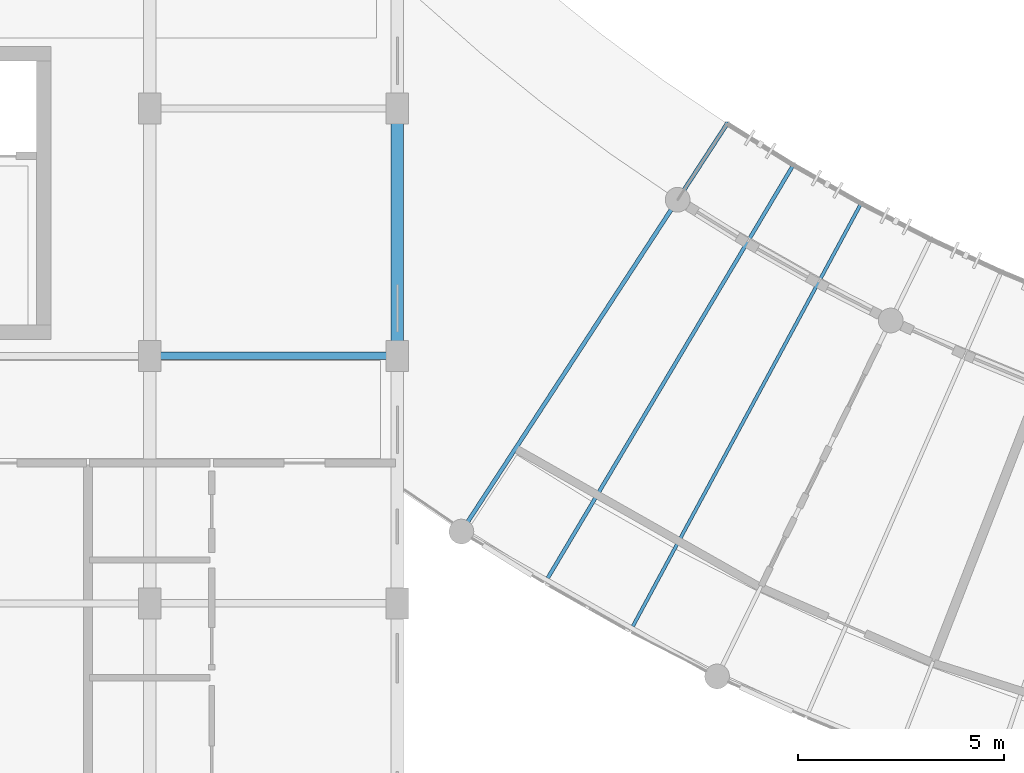
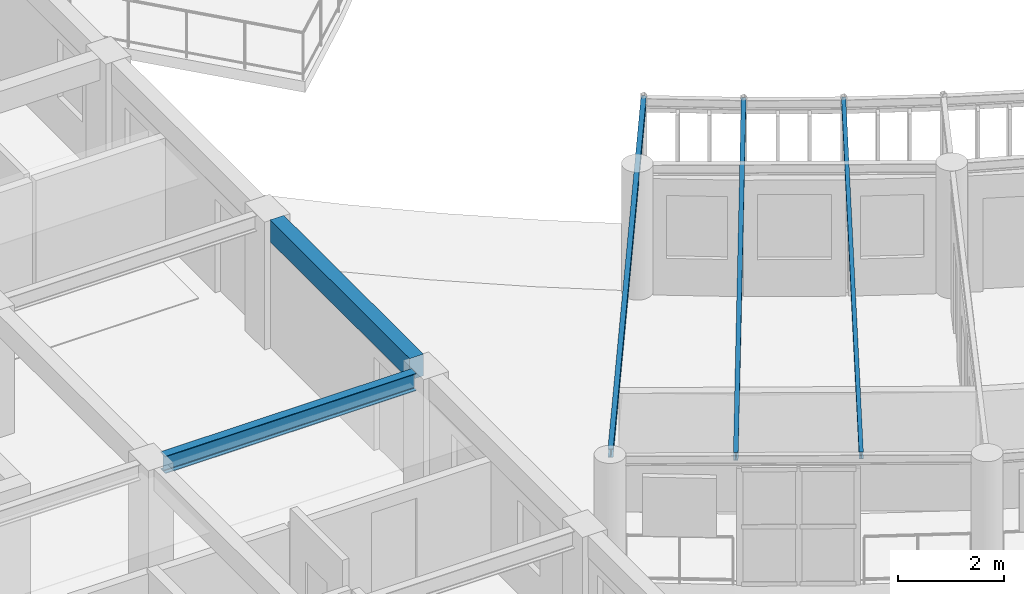
# One storey, part 6 of 100: 5 beams.
"""IFC4 building model written with IfcOpenShell, lengths in metres."""

import ifcopenshell
import ifcopenshell.guid

model = None  # the IFC model being written
_history = None  # IfcOwnerHistory: only IFC2X3 demands one
_inside = {}  # id of a spatial element -> (the spatial element, [elements in it])
_under = {}  # id of a project, library or spatial element -> (it, [spatial elements below it])
_declared = {}  # id of a project -> (the project, [libraries it declares])
_typed = {}  # id of a type object -> (the type object, [elements of that type])
_made_of = {}  # id of a material, layer set ... -> (it, [elements and type objects made of it])


def new_model(schema):
    """Start an empty IFC model of exactly this schema.

    Asked for "IFC4X3", IfcOpenShell would pick the latest addendum, in which some entities
    have other attributes; the version numbers below select the first issue.
    IFC2X3 requires an IfcOwnerHistory on every rooted entity: one is made here for all.
    """
    global model, _history
    if schema == "IFC4X3":
        model = ifcopenshell.file(schema_version=(4, 3, 0, 0))
    else:
        model = ifcopenshell.file(schema=schema)
    _inside.clear()
    _under.clear()
    _declared.clear()
    _typed.clear()
    _made_of.clear()
    _history = None
    if model.schema == "IFC2X3":
        org = make("IfcOrganization", Name="unknown")
        user = make(
            "IfcPersonAndOrganization",
            ThePerson=make("IfcPerson", FamilyName="unknown"),
            TheOrganization=org,
        )
        app = make(
            "IfcApplication",
            ApplicationDeveloper=org,
            Version="unknown",
            ApplicationFullName="unknown",
            ApplicationIdentifier="unknown",
        )
        _history = make(
            "IfcOwnerHistory",
            OwningUser=user,
            OwningApplication=app,
            ChangeAction="ADDED",
            CreationDate=0,
        )
    return model


def make(cls, **values):
    """One entity of the class cls with the attributes given. An attribute that is None is left unset."""
    return model.create_entity(
        cls, **{name: value for name, value in values.items() if value is not None}
    )


def rooted(cls, **values):
    """An entity with a GlobalId (a new one), such as an element, a storey or a relation."""
    return make(cls, GlobalId=ifcopenshell.guid.new(), OwnerHistory=_history, **values)


def si_unit(unit_type, name, prefix=None):
    """IfcSIUnit, for example si_unit("LENGTHUNIT", "METRE", prefix="MILLI")."""
    return make("IfcSIUnit", UnitType=unit_type, Prefix=prefix, Name=name)


def assignment(units):
    """IfcUnitAssignment: the units of a project."""
    return None if units is None else make("IfcUnitAssignment", Units=units)


def point(xyz):
    """IfcCartesianPoint."""
    return None if xyz is None else make("IfcCartesianPoint", Coordinates=xyz)


def direction(xyz):
    """IfcDirection."""
    return None if xyz is None else make("IfcDirection", DirectionRatios=xyz)


def frame(location, z_axis=None, x_axis=None):
    """IfcAxis2Placement3D, a coordinate frame: its origin and axes. An axis left out is left unset."""
    return make(
        "IfcAxis2Placement3D",
        Location=point(location),
        Axis=direction(z_axis),
        RefDirection=direction(x_axis),
    )


def frame_2d(location, x_axis=None):
    """IfcAxis2Placement2D, a coordinate frame in the plane: its origin and x axis."""
    return make(
        "IfcAxis2Placement2D", Location=point(location), RefDirection=direction(x_axis)
    )


def origin():
    """The frame at (0, 0, 0) with its axes left unset."""
    return frame((0.0, 0.0, 0.0))


def origin_2d():
    """The frame at (0, 0) in the plane with its x axis left unset."""
    return frame_2d((0.0, 0.0))


def place(relative_to, where):
    """IfcLocalPlacement: puts the frame where relative to a parent placement (None: the world)."""
    return make(
        "IfcLocalPlacement", PlacementRelTo=relative_to, RelativePlacement=where
    )


def context(
    kind, dimensions, precision=None, world=None, true_north=None, identifier=None
):
    """IfcGeometricRepresentationContext, for example the 3D "Model" context."""
    return make(
        "IfcGeometricRepresentationContext",
        ContextIdentifier=identifier,
        ContextType=kind,
        CoordinateSpaceDimension=dimensions,
        Precision=precision,
        WorldCoordinateSystem=world,
        TrueNorth=true_north,
    )


def subcontext(parent, identifier, kind, view, scale=None):
    """IfcGeometricRepresentationSubContext, for example "Body" below "Model"."""
    return make(
        "IfcGeometricRepresentationSubContext",
        ContextIdentifier=identifier,
        ContextType=kind,
        ParentContext=parent,
        TargetScale=scale,
        TargetView=view,
    )


def project(units=None, contexts=None):
    """IfcProject with its units and contexts."""
    return rooted(
        "IfcProject",
        Name="project",
        RepresentationContexts=contexts,
        UnitsInContext=assignment(units),
    )


def spatial(cls, under=None, at=None, **own):
    """A site, building, storey or space (cls), placed at a placement, below another one or the project."""
    s = rooted(cls, ObjectPlacement=at, **own)
    if under is not None:
        _under.setdefault(under.id(), (under, []))[1].append(s)
    return s


def profile(cls, at=None, kind="AREA", **sizes):
    """A parametric profile (cls). Its sizes go by their IFC names, for example OverallWidth=200.0."""
    return make(cls, ProfileType=kind, Position=at, **sizes)


def rectangle(**sizes):
    """IfcRectangleProfileDef."""
    return profile("IfcRectangleProfileDef", **sizes)


def i_section(**sizes):
    """IfcIShapeProfileDef."""
    return profile("IfcIShapeProfileDef", **sizes)


def extrude(swept, where, along, depth):
    """IfcExtrudedAreaSolid: the profile swept, set in the frame where, extruded along a direction by depth."""
    return make(
        "IfcExtrudedAreaSolid",
        SweptArea=swept,
        Position=where,
        ExtrudedDirection=direction(along),
        Depth=depth,
    )


def shape(context_of_items, identifier, shape_type, items):
    """IfcShapeRepresentation: the items that make up one representation, for example the "Body"."""
    return make(
        "IfcShapeRepresentation",
        ContextOfItems=context_of_items,
        RepresentationIdentifier=identifier,
        RepresentationType=shape_type,
        Items=items,
    )


def material(Name=None, Category=None):
    """IfcMaterial."""
    return make("IfcMaterial", Name=Name, Category=Category)


def material_profile(
    of_material, cross_section, Name=None, Category=None, Priority=None
):
    """IfcMaterialProfile: a cross section and its material."""
    return make(
        "IfcMaterialProfile",
        Name=Name,
        Material=of_material,
        Profile=cross_section,
        Priority=Priority,
        Category=Category,
    )


def profile_set(profiles, Name=None, composite=None):
    """IfcMaterialProfileSet."""
    return make(
        "IfcMaterialProfileSet",
        Name=Name,
        MaterialProfiles=profiles,
        CompositeProfile=composite,
    )


def made_of(thing, what):
    """Note that an element or type object is made of a material, layer set ...; save() writes the relation."""
    if what is not None:
        _made_of.setdefault(what.id(), (what, []))[1].append(thing)
    return thing


def type_object(cls, material=None, **own):
    """A type object (cls), such as IfcWallType, which elements share."""
    return made_of(rooted(cls, **own), material)


def element(
    cls,
    number,
    at=None,
    inside=None,
    cuts=None,
    type_object=None,
    material=None,
    context=None,
    identifier="Body",
    shape_type=None,
    held_by="IfcProductDefinitionShape",
    body=None,
    shapes=None,
    **own,
):
    """One element of the class cls, such as IfcWall. Its Tag is "e" and its number.

    at: its placement. inside: the storey or other place that contains it. cuts: it is an
    opening in that element (IfcRelVoidsElement). A single representation is given by context,
    identifier, shape_type and body (its items); several are given by shapes. held_by: the class
    of the entity that holds the representations. save() writes the other relations.
    """
    e = rooted(cls, Tag="e%d" % number, ObjectPlacement=at, **own)
    if body is not None:
        shapes = [shape(context, identifier, shape_type, body)]
    if shapes is not None:
        e.Representation = make(held_by, Representations=shapes)
    if inside is not None:
        _inside.setdefault(inside.id(), (inside, []))[1].append(e)
    if cuts is not None:
        rooted(
            "IfcRelVoidsElement", RelatingBuildingElement=cuts, RelatedOpeningElement=e
        )
    if type_object is not None:
        _typed.setdefault(type_object.id(), (type_object, []))[1].append(e)
    return made_of(e, material)


def aggregate(whole, parts):
    """IfcRelAggregates: a whole, such as a stair, and the parts it consists of."""
    return rooted("IfcRelAggregates", RelatingObject=whole, RelatedObjects=parts)


def save(model, path):
    """Write the relations noted so far, then the file.

    IfcRelAggregates (storeys below a building ...), IfcRelContainedInSpatialStructure (elements
    in a storey), IfcRelDefinesByType, IfcRelAssociatesMaterial and IfcRelDeclares: one each for
    every whole, place, type object, material and project.
    """
    for whole, parts in _under.values():
        aggregate(whole, parts)
    for where, things in _inside.values():
        rooted(
            "IfcRelContainedInSpatialStructure",
            RelatedElements=things,
            RelatingStructure=where,
        )
    for kind, things in _typed.values():
        rooted("IfcRelDefinesByType", RelatedObjects=things, RelatingType=kind)
    for what, things in _made_of.values():
        rooted("IfcRelAssociatesMaterial", RelatedObjects=things, RelatingMaterial=what)
    for by, libraries in _declared.values():
        rooted("IfcRelDeclares", RelatingContext=by, RelatedDefinitions=libraries)
    model.write(path)


model = new_model("IFC4")

# Units and contexts
model_context = context("Model", 3, precision=1e-05, world=origin(), true_north=direction((0.0, 1.0)))
body_context = subcontext(model_context, "Body", "Model", "MODEL_VIEW")
ifc_project = project(units=[si_unit("LENGTHUNIT", "METRE"), si_unit("AREAUNIT", "SQUARE_METRE"), si_unit("VOLUMEUNIT", "CUBIC_METRE"), si_unit("PLANEANGLEUNIT", "RADIAN"), si_unit("MASSUNIT", "GRAM", prefix="KILO"), si_unit("POWERUNIT", "WATT"), si_unit("THERMODYNAMICTEMPERATUREUNIT", "KELVIN")], contexts=[model_context])

# Site, building, storey
site_placement = place(None, origin())
site = spatial("IfcSite", under=ifc_project, at=site_placement, CompositionType="ELEMENT")
building_placement = place(site_placement, origin())
building = spatial("IfcBuilding", under=site, at=building_placement, Name="Ruvembo Vaulted Housing Court", CompositionType="ELEMENT")
storey_placement = place(building_placement, frame((0.0, 0.0, 14.10009765625)))
storey = spatial("IfcBuildingStorey", under=building, at=storey_placement, Name="L04", CompositionType="ELEMENT", Elevation=14.10009765625)

# Beams
ifc_material_1 = material(Name="Steel S355J2", Category="steel")
ifc_material_profile_1 = material_profile(ifc_material_1, i_section(OverallWidth=0.08203125, OverallDepth=0.159912109375, WebThickness=0.0048828125, FlangeThickness=0.00732421875, FilletRadius=0.009033203125, at=origin_2d()), Name="IPE 160")
ifc_profile_set_1 = profile_set([ifc_material_profile_1], Name="Steel S355J2")
beam_type_1 = type_object("IfcBeamType", Name="BM-ST-IPE160", PredefinedType="JOIST", material=ifc_profile_set_1)
beam_1_placement = place(storey_placement, frame((41.70654296875, 11.445068359375, 2.85986328125), z_axis=(0.475065815037, 0.879950266426, 0.0), x_axis=(-0.879950266426, 0.475065815037, 0.0)))
element("IfcBeam", 1, at=beam_1_placement, inside=storey, type_object=beam_type_1, Name="Scoop SC2 L04 Radial Steel Joist 2", PredefinedType="JOIST", context=body_context, shape_type="SweptSolid", body=[
    extrude(i_section(OverallWidth=0.08203125, OverallDepth=0.159912109375, WebThickness=0.0048828125, FlangeThickness=0.00732421875, FilletRadius=0.009033203125, at=origin_2d()), origin(), (0.0, 0.0, 1.0), 11.69189453125),
])
ifc_material_profile_2 = material_profile(ifc_material_1, i_section(OverallWidth=0.091064453125, OverallDepth=0.179931640625, WebThickness=0.00537109375, FlangeThickness=0.008056640625, FilletRadius=0.009033203125, at=origin_2d()), Name="IPE 180")
ifc_profile_set_2 = profile_set([ifc_material_profile_2], Name="Steel S355J2")
beam_type_2 = type_object("IfcBeamType", Name="BM-ST-IPE180", PredefinedType="JOIST", material=ifc_profile_set_2)
beam_2_placement = place(storey_placement, frame((39.644775390625, 12.61376953125, 2.849853515625), z_axis=(0.51095697622, 0.859606286885, 0.0), x_axis=(-0.859606286885, 0.51095697622, 0.0)))
element("IfcBeam", 2, at=beam_2_placement, inside=storey, type_object=beam_type_2, Name="Scoop SC2 L04 Radial Steel Joist 1", PredefinedType="JOIST", context=body_context, shape_type="SweptSolid", body=[
    extrude(i_section(OverallWidth=0.091064453125, OverallDepth=0.179931640625, WebThickness=0.00537109375, FlangeThickness=0.008056640625, FilletRadius=0.009033203125, at=origin_2d()), origin(), (0.0, 0.0, 1.0), 11.692138671875),
])
ifc_material_profile_3 = material_profile(ifc_material_1, i_section(OverallWidth=0.10009765625, OverallDepth=0.199951171875, WebThickness=0.005615234375, FlangeThickness=0.008544921875, FilletRadius=0.011962890625, at=origin_2d()), Name="IPE 200")
ifc_profile_set_3 = profile_set([ifc_material_profile_3], Name="Steel S355J2")
beam_type_3 = type_object("IfcBeamType", Name="BM-ST-IPE200", PredefinedType="BEAM", material=ifc_profile_set_3)
beam_3_placement = place(storey_placement, frame((37.656005859375, 13.901611328125, 2.83984375), z_axis=(0.545955148069, 0.837814404446, 0.0), x_axis=(-0.837814404446, 0.545955148069, 0.0)))
element("IfcBeam", 3, at=beam_3_placement, inside=storey, type_object=beam_type_3, Name="Scoop SC2 L04 Radial Steel Joist 0", PredefinedType="BEAM", context=body_context, shape_type="SweptSolid", body=[
    extrude(i_section(OverallWidth=0.10009765625, OverallDepth=0.199951171875, WebThickness=0.005615234375, FlangeThickness=0.008544921875, FilletRadius=0.011962890625, at=origin_2d()), origin(), (0.0, 0.0, 1.0), 11.64990234375),
])
ifc_material_profile_4 = material_profile(ifc_material_1, i_section(OverallWidth=0.179931640625, OverallDepth=0.39990234375, WebThickness=0.008544921875, FlangeThickness=0.013427734375, FilletRadius=0.02099609375, at=origin_2d()), Name="IPE 400")
ifc_profile_set_4 = profile_set([ifc_material_profile_4], Name="Steel S355J2")
beam_type_4 = type_object("IfcBeamType", Name="BM-ST-IPE400", PredefinedType="BEAM", material=ifc_profile_set_4)
beam_4_placement = place(storey_placement, frame((30.260009765625, 18.0, 2.725830078125), z_axis=(1.0, 0.0, 0.0), x_axis=(0.0, 1.0, 0.0)))
element("IfcBeam", 4, at=beam_4_placement, inside=storey, type_object=beam_type_4, Name="L04 Grid Beam X #2032", PredefinedType="BEAM", context=body_context, shape_type="SweptSolid", body=[
    extrude(i_section(OverallWidth=0.179931640625, OverallDepth=0.39990234375, WebThickness=0.008544921875, FlangeThickness=0.013427734375, FilletRadius=0.02099609375, at=origin_2d()), origin(), (0.0, 0.0, 1.0), 5.47998046875),
])
ifc_material_2 = material(Name="Concrete C35/45", Category="concrete")
ifc_material_profile_5 = material_profile(ifc_material_2, rectangle(XDim=0.300048828125, YDim=0.5, at=origin_2d()), Name="RC 300x500")
ifc_profile_set_5 = profile_set([ifc_material_profile_5], Name="Concrete C35/45")
beam_type_5 = type_object("IfcBeamType", Name="SP-RC-300x500", PredefinedType="SPANDREL", material=ifc_profile_set_5)
beam_5_placement = place(storey_placement, frame((36.0, 18.360107421875, 2.699951171875), z_axis=(0.0, 1.0, 0.0), x_axis=(-1.0, 0.0, 0.0)))
element("IfcBeam", 5, at=beam_5_placement, inside=storey, type_object=beam_type_5, Name="L04 Grid Beam Y #2176", PredefinedType="SPANDREL", context=body_context, shape_type="SweptSolid", body=[
    extrude(rectangle(XDim=0.300048828125, YDim=0.5, at=origin_2d()), origin(), (0.0, 0.0, 1.0), 5.27978515625),
])

save(model, "model.ifc")
